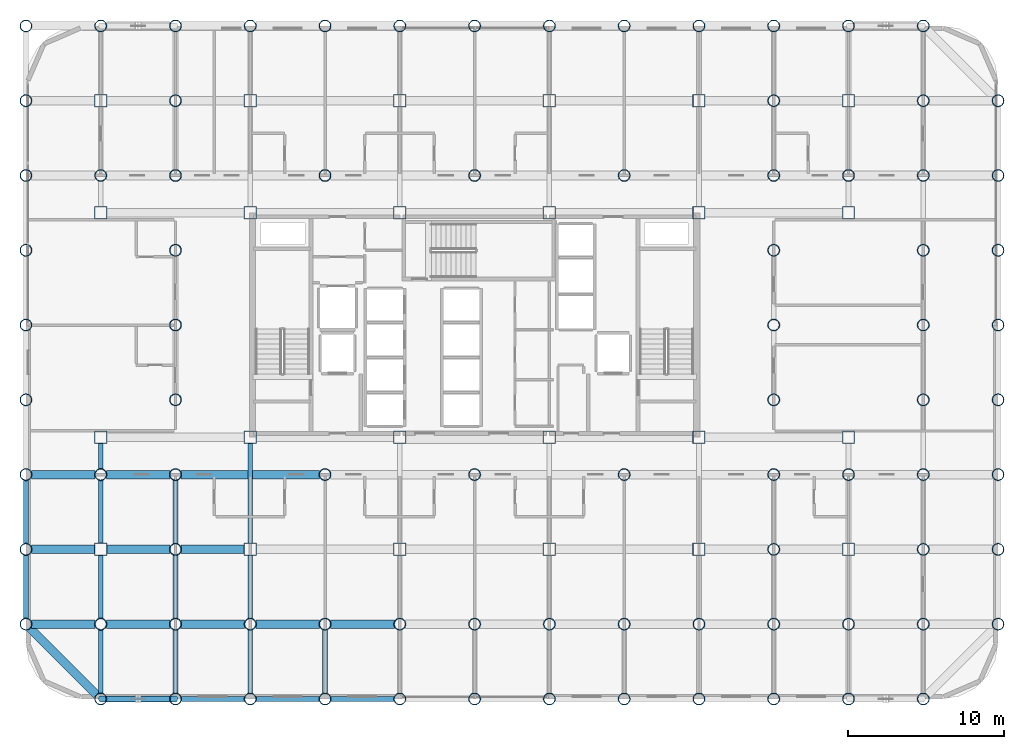
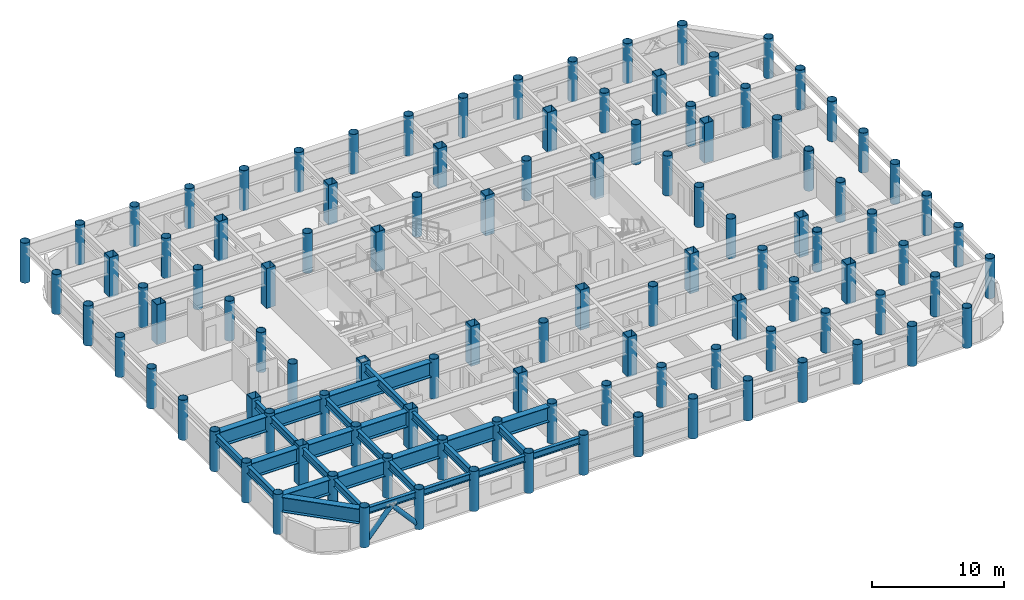
# One storey, part 1 of 21: 108 columns, 29 beams, 2 members.
"""IFC4 building model written with IfcOpenShell, lengths in metres."""

from ifc_helpers import new_model, si_unit, direction, frame, origin, origin_2d, place, context, subcontext, project, spatial, hollow_rectangle, hollow_circle, i_section, extrude, material, material_profile, profile_set, type_object, element, save


model = new_model("IFC4")

# Units and contexts
model_context = context("Model", 3, precision=1e-05, world=origin(), true_north=direction((0.0, 1.0)))
body_context = subcontext(model_context, "Body", "Model", "MODEL_VIEW")
ifc_project = project(units=[si_unit("LENGTHUNIT", "METRE"), si_unit("AREAUNIT", "SQUARE_METRE"), si_unit("VOLUMEUNIT", "CUBIC_METRE"), si_unit("PLANEANGLEUNIT", "RADIAN"), si_unit("MASSUNIT", "GRAM", prefix="KILO")], contexts=[model_context])

# Site, building, storey
site_placement = place(None, origin())
site = spatial("IfcSite", under=ifc_project, at=site_placement, CompositionType="ELEMENT")
building_placement = place(site_placement, origin())
building = spatial("IfcBuilding", under=site, at=building_placement, Name="Kallvorn Hotel Tower", CompositionType="ELEMENT")
storey_placement = place(building_placement, frame((0.0, 0.0, 85.5)))
storey = spatial("IfcBuildingStorey", under=building, at=storey_placement, Name="L20", CompositionType="ELEMENT", Elevation=85.5)

# Columns
ifc_material_1 = material(Name="Structural steel S355J2H", Category="steel")
ifc_material_profile_1 = material_profile(ifc_material_1, hollow_circle(Radius=0.381103515625, WallThickness=0.031982421875, at=origin_2d()), Name="CHS 762x32")
ifc_profile_set_1 = profile_set([ifc_material_profile_1], Name="Structural steel S355J2H")
column_type_1 = type_object("IfcColumnType", Name="COL_CHS_762", PredefinedType="COLUMN", material=ifc_profile_set_1)
for number, where, z_axis, x_axis, name in (
    (1, (-28.800048828125, -19.199951171875, 0.0), (0.0, 0.0, 1.0), (1.0, 0.0, 0.0), "L20 Exoskeleton Column EC01"),
    (2, (-28.800048828125, -14.39990234375, 0.0), (0.0, 0.0, 1.0), (1.0, 0.0, 0.0), "L20 Exoskeleton Column EC02"),
    (3, (-28.800048828125, -9.60009765625, 0.0), (0.0, 0.0, 1.0), (1.0, 0.0, 0.0), "L20 Exoskeleton Column EC03"),
    (4, (-28.800048828125, -4.800048828125, 0.0), (0.0, 0.0, 1.0), (1.0, 0.0, 0.0), "L20 Exoskeleton Column EC04"),
    (5, (-28.800048828125, 0.0, 0.0), (0.0, 0.0, 1.0), (1.0, 0.0, 0.0), "L20 Exoskeleton Column EC05"),
    (6, (-28.800048828125, 4.800048828125, 0.0), (0.0, 0.0, 1.0), (1.0, 0.0, 0.0), "L20 Exoskeleton Column EC06"),
    (7, (-28.800048828125, 9.60009765625, 0.0), (0.0, 0.0, 1.0), (1.0, 0.0, 0.0), "L20 Exoskeleton Column EC07"),
    (8, (-28.800048828125, 14.39990234375, 0.0), (0.0, 0.0, 1.0), (1.0, 0.0, 0.0), "L20 Exoskeleton Column EC08"),
    (9, (-28.800048828125, 19.199951171875, 0.0), (0.0, 0.0, 1.0), (1.0, 0.0, 0.0), "L20 Exoskeleton Column EC09"),
    (10, (-24.0, -24.0, 0.0), (0.0, 0.0, 1.0), (1.0, 0.0, 0.0), "L20 Exoskeleton Column EC10"),
    (11, (-24.0, -19.199951171875, 0.0), (0.0, 0.0, 1.0), (1.0, 0.0, 0.0), "L20 Exoskeleton Column EC11"),
    (12, (-24.0, -9.60009765625, 0.0), (0.0, 0.0, 1.0), (1.0, 0.0, 0.0), "L20 Exoskeleton Column EC12"),
    (13, (-24.0, 9.60009765625, 0.0), (0.0, 0.0, 1.0), (1.0, 0.0, 0.0), "L20 Exoskeleton Column EC13"),
    (14, (-24.0, 19.199951171875, 0.0), (0.0, 0.0, 1.0), (1.0, 0.0, 0.0), "L20 Exoskeleton Column EC14"),
    (15, (-19.199951171875, -24.0, 0.0), (0.0, 0.0, 1.0), (1.0, 0.0, 0.0), "L20 Exoskeleton Column EC15"),
    (16, (-19.199951171875, -19.199951171875, 0.0), (0.0, 0.0, 1.0), (1.0, 0.0, 0.0), "L20 Exoskeleton Column EC16"),
    (17, (-19.199951171875, -14.39990234375, 0.0), (0.0, 0.0, 1.0), (1.0, 0.0, 0.0), "L20 Exoskeleton Column EC17"),
    (18, (-19.199951171875, -9.60009765625, 0.0), (0.0, 0.0, 1.0), (1.0, 0.0, 0.0), "L20 Exoskeleton Column EC18"),
    (19, (-19.199951171875, -4.800048828125, 0.0), (0.0, 0.0, 1.0), (1.0, 0.0, 0.0), "L20 Exoskeleton Column EC19"),
    (20, (-19.199951171875, 0.0, 0.0), (0.0, 0.0, 1.0), (1.0, 0.0, 0.0), "L20 Exoskeleton Column EC20"),
    (21, (-19.199951171875, 4.800048828125, 0.0), (0.0, 0.0, 1.0), (1.0, 0.0, 0.0), "L20 Exoskeleton Column EC21"),
    (22, (-19.199951171875, 9.60009765625, 0.0), (0.0, 0.0, 1.0), (1.0, 0.0, 0.0), "L20 Exoskeleton Column EC22"),
    (23, (-19.199951171875, 14.39990234375, 0.0), (0.0, 0.0, 1.0), (1.0, 0.0, 0.0), "L20 Exoskeleton Column EC23"),
    (24, (-19.199951171875, 19.199951171875, 0.0), (0.0, 0.0, 1.0), (1.0, 0.0, 0.0), "L20 Exoskeleton Column EC24"),
    (25, (-14.39990234375, -24.0, 0.0), (0.0, 0.0, 1.0), (1.0, 0.0, 0.0), "L20 Exoskeleton Column EC25"),
    (26, (-14.39990234375, -19.199951171875, 0.0), (0.0, 0.0, 1.0), (1.0, 0.0, 0.0), "L20 Exoskeleton Column EC26"),
    (27, (-14.39990234375, 19.199951171875, 0.0), (0.0, 0.0, 1.0), (1.0, 0.0, 0.0), "L20 Exoskeleton Column EC27"),
    (28, (-9.60009765625, -24.0, 0.0), (0.0, 0.0, 1.0), (1.0, 0.0, 0.0), "L20 Exoskeleton Column EC28"),
    (29, (-9.60009765625, -19.199951171875, 0.0), (0.0, 0.0, 1.0), (1.0, 0.0, 0.0), "L20 Exoskeleton Column EC29"),
    (30, (-9.60009765625, -9.60009765625, 0.0), (0.0, 0.0, 1.0), (1.0, 0.0, 0.0), "L20 Exoskeleton Column EC30"),
    (31, (-9.60009765625, 9.60009765625, 0.0), (0.0, 0.0, 1.0), (1.0, 0.0, 0.0), "L20 Exoskeleton Column EC31"),
    (32, (-9.60009765625, 19.199951171875, 0.0), (0.0, 0.0, 1.0), (1.0, 0.0, 0.0), "L20 Exoskeleton Column EC32"),
    (33, (-4.800048828125, -24.0, 0.0), (0.0, 0.0, 1.0), (1.0, 0.0, 0.0), "L20 Exoskeleton Column EC33"),
    (34, (-4.800048828125, -19.199951171875, 0.0), (0.0, 0.0, 1.0), (1.0, 0.0, 0.0), "L20 Exoskeleton Column EC34"),
    (35, (-4.800048828125, 19.199951171875, 0.0), (0.0, 0.0, 1.0), (1.0, 0.0, 0.0), "L20 Exoskeleton Column EC35"),
    (36, (0.0, -24.0, 0.0), (0.0, 0.0, 1.0), (1.0, 0.0, 0.0), "L20 Exoskeleton Column EC36"),
    (37, (0.0, -19.199951171875, 0.0), (0.0, 0.0, 1.0), (1.0, 0.0, 0.0), "L20 Exoskeleton Column EC37"),
    (38, (0.0, -9.60009765625, 0.0), (0.0, 0.0, 1.0), (1.0, 0.0, 0.0), "L20 Exoskeleton Column EC38"),
    (39, (0.0, 9.60009765625, 0.0), (0.0, 0.0, 1.0), (1.0, 0.0, 0.0), "L20 Exoskeleton Column EC39"),
    (40, (0.0, 19.199951171875, 0.0), (0.0, 0.0, 1.0), (1.0, 0.0, 0.0), "L20 Exoskeleton Column EC40"),
    (41, (4.800048828125, -24.0, 0.0), (0.0, 0.0, 1.0), (1.0, 0.0, 0.0), "L20 Exoskeleton Column EC41"),
    (42, (4.800048828125, -19.199951171875, 0.0), (0.0, 0.0, 1.0), (1.0, 0.0, 0.0), "L20 Exoskeleton Column EC42"),
    (43, (4.800048828125, 19.199951171875, 0.0), (0.0, 0.0, 1.0), (1.0, 0.0, 0.0), "L20 Exoskeleton Column EC43"),
    (44, (9.60009765625, -24.0, 0.0), (0.0, 0.0, 1.0), (1.0, 0.0, 0.0), "L20 Exoskeleton Column EC44"),
    (45, (9.60009765625, -19.199951171875, 0.0), (0.0, 0.0, 1.0), (1.0, 0.0, 0.0), "L20 Exoskeleton Column EC45"),
    (46, (9.60009765625, -9.60009765625, 0.0), (0.0, 0.0, 1.0), (1.0, 0.0, 0.0), "L20 Exoskeleton Column EC46"),
    (47, (9.60009765625, 9.60009765625, 0.0), (0.0, 0.0, 1.0), (1.0, 0.0, 0.0), "L20 Exoskeleton Column EC47"),
    (48, (9.60009765625, 19.199951171875, 0.0), (0.0, 0.0, 1.0), (1.0, 0.0, 0.0), "L20 Exoskeleton Column EC48"),
    (49, (14.39990234375, -24.0, 0.0), (0.0, 0.0, 1.0), (1.0, 0.0, 0.0), "L20 Exoskeleton Column EC49"),
    (50, (14.39990234375, -19.199951171875, 0.0), (0.0, 0.0, 1.0), (1.0, 0.0, 0.0), "L20 Exoskeleton Column EC50"),
    (51, (14.39990234375, 19.199951171875, 0.0), (0.0, 0.0, 1.0), (1.0, 0.0, 0.0), "L20 Exoskeleton Column EC51"),
    (52, (19.199951171875, -24.0, 0.0), (0.0, 0.0, 1.0), (1.0, 0.0, 0.0), "L20 Exoskeleton Column EC52"),
    (53, (19.199951171875, -19.199951171875, 0.0), (0.0, 0.0, 1.0), (1.0, 0.0, 0.0), "L20 Exoskeleton Column EC53"),
    (54, (19.199951171875, -14.39990234375, 0.0), (0.0, 0.0, 1.0), (1.0, 0.0, 0.0), "L20 Exoskeleton Column EC54"),
    (55, (19.199951171875, -9.60009765625, 0.0), (0.0, 0.0, 1.0), (1.0, 0.0, 0.0), "L20 Exoskeleton Column EC55"),
    (56, (19.199951171875, -4.800048828125, 0.0), (0.0, 0.0, 1.0), (1.0, 0.0, 0.0), "L20 Exoskeleton Column EC56"),
    (57, (19.199951171875, 0.0, 0.0), (0.0, 0.0, 1.0), (1.0, 0.0, 0.0), "L20 Exoskeleton Column EC57"),
    (58, (19.199951171875, 4.800048828125, 0.0), (0.0, 0.0, 1.0), (1.0, 0.0, 0.0), "L20 Exoskeleton Column EC58"),
    (59, (19.199951171875, 9.60009765625, 0.0), (0.0, 0.0, 1.0), (1.0, 0.0, 0.0), "L20 Exoskeleton Column EC59"),
    (60, (19.199951171875, 14.39990234375, 0.0), (0.0, 0.0, 1.0), (1.0, 0.0, 0.0), "L20 Exoskeleton Column EC60"),
    (61, (19.199951171875, 19.199951171875, 0.0), (0.0, 0.0, 1.0), (1.0, 0.0, 0.0), "L20 Exoskeleton Column EC61"),
    (62, (24.0, -24.0, 0.0), (0.0, 0.0, 1.0), (1.0, 0.0, 0.0), "L20 Exoskeleton Column EC62"),
    (63, (24.0, -19.199951171875, 0.0), (0.0, 0.0, 1.0), (1.0, 0.0, 0.0), "L20 Exoskeleton Column EC63"),
    (64, (24.0, -9.60009765625, 0.0), (0.0, 0.0, 1.0), (1.0, 0.0, 0.0), "L20 Exoskeleton Column EC64"),
    (65, (24.0, 9.60009765625, 0.0), (0.0, 0.0, 1.0), (1.0, 0.0, 0.0), "L20 Exoskeleton Column EC65"),
    (66, (24.0, 19.199951171875, 0.0), (0.0, 0.0, 1.0), (1.0, 0.0, 0.0), "L20 Exoskeleton Column EC66"),
    (67, (28.800048828125, -24.0, 0.0), (0.0, 0.0, 1.0), (1.0, 0.0, 0.0), "L20 Exoskeleton Column EC67"),
    (68, (28.800048828125, -19.199951171875, 0.0), (0.0, 0.0, 1.0), (1.0, 0.0, 0.0), "L20 Exoskeleton Column EC68"),
    (69, (28.800048828125, -14.39990234375, 0.0), (0.0, 0.0, 1.0), (1.0, 0.0, 0.0), "L20 Exoskeleton Column EC69"),
    (70, (28.800048828125, -9.60009765625, 0.0), (0.0, 0.0, 1.0), (1.0, 0.0, 0.0), "L20 Exoskeleton Column EC70"),
    (71, (28.800048828125, -4.800048828125, 0.0), (0.0, 0.0, 1.0), (1.0, 0.0, 0.0), "L20 Exoskeleton Column EC71"),
    (72, (28.800048828125, 0.0, 0.0), (0.0, 0.0, 1.0), (1.0, 0.0, 0.0), "L20 Exoskeleton Column EC72"),
    (73, (28.800048828125, 4.800048828125, 0.0), (0.0, 0.0, 1.0), (1.0, 0.0, 0.0), "L20 Exoskeleton Column EC73"),
    (74, (28.800048828125, 9.60009765625, 0.0), (0.0, 0.0, 1.0), (1.0, 0.0, 0.0), "L20 Exoskeleton Column EC74"),
    (75, (28.800048828125, 14.39990234375, 0.0), (0.0, 0.0, 1.0), (1.0, 0.0, 0.0), "L20 Exoskeleton Column EC75"),
    (76, (28.800048828125, 19.199951171875, 0.0), (0.0, 0.0, 1.0), (1.0, 0.0, 0.0), "L20 Exoskeleton Column EC76"),
    (77, (33.60009765625, -19.199951171875, 0.0), (0.0, 0.0, 1.0), (1.0, 0.0, 0.0), "L20 Exoskeleton Column EC77"),
    (78, (33.60009765625, -14.39990234375, 0.0), (0.0, 0.0, 1.0), (1.0, 0.0, 0.0), "L20 Exoskeleton Column EC78"),
    (79, (33.60009765625, -9.60009765625, 0.0), (0.0, 0.0, 1.0), (1.0, 0.0, 0.0), "L20 Exoskeleton Column EC79"),
    (80, (33.60009765625, -4.800048828125, 0.0), (0.0, 0.0, 1.0), (1.0, 0.0, 0.0), "L20 Exoskeleton Column EC80"),
    (81, (33.60009765625, 0.0, 0.0), (0.0, 0.0, 1.0), (1.0, 0.0, 0.0), "L20 Exoskeleton Column EC81"),
    (82, (33.60009765625, 4.800048828125, 0.0), (0.0, 0.0, 1.0), (1.0, 0.0, 0.0), "L20 Exoskeleton Column EC82"),
    (83, (33.60009765625, 9.60009765625, 0.0), (0.0, 0.0, 1.0), (1.0, 0.0, 0.0), "L20 Exoskeleton Column EC83"),
    (84, (33.60009765625, 14.39990234375, 0.0), (0.0, 0.0, 1.0), (1.0, 0.0, 0.0), "L20 Exoskeleton Column EC84"),
):
    element("IfcColumn", number, at=place(storey_placement, frame(where, z_axis=z_axis, x_axis=x_axis)), inside=storey, type_object=column_type_1, Name=name, PredefinedType="COLUMN", context=body_context, shape_type="SweptSolid", body=[
        extrude(hollow_circle(Radius=0.381103515625, WallThickness=0.031982421875, at=origin_2d()), origin(), (0.0, 0.0, 1.0), 3.699951171875),
    ])
ifc_material_2 = material(Name="Structural steel S355J2H", Category="steel")
ifc_material_profile_2 = material_profile(ifc_material_2, hollow_rectangle(XDim=0.800048828125, YDim=0.800048828125, WallThickness=0.035888671875, at=origin_2d()), Name="RHS 800x800x36")
ifc_profile_set_2 = profile_set([ifc_material_profile_2], Name="Structural steel S355J2H")
column_type_2 = type_object("IfcColumnType", Name="COL_RHS_800", PredefinedType="COLUMN", material=ifc_profile_set_2)
for number, where, z_axis, x_axis, name in (
    (85, (-24.0, -14.39990234375, 0.0), (0.0, 0.0, 1.0), (1.0, 0.0, 0.0), "L20 Inner Column IC01"),
    (86, (-24.0, -7.199951171875, 0.0), (0.0, 0.0, 1.0), (1.0, 0.0, 0.0), "L20 Inner Column IC02"),
    (87, (-24.0, 7.199951171875, 0.0), (0.0, 0.0, 1.0), (1.0, 0.0, 0.0), "L20 Inner Column IC03"),
    (88, (-24.0, 14.39990234375, 0.0), (0.0, 0.0, 1.0), (1.0, 0.0, 0.0), "L20 Inner Column IC04"),
    (89, (-14.39990234375, -14.39990234375, 0.0), (0.0, 0.0, 1.0), (1.0, 0.0, 0.0), "L20 Inner Column IC05"),
    (90, (-14.39990234375, -7.199951171875, 0.0), (0.0, 0.0, 1.0), (1.0, 0.0, 0.0), "L20 Inner Column IC06"),
    (91, (-14.39990234375, 7.199951171875, 0.0), (0.0, 0.0, 1.0), (1.0, 0.0, 0.0), "L20 Inner Column IC07"),
    (92, (-14.39990234375, 14.39990234375, 0.0), (0.0, 0.0, 1.0), (1.0, 0.0, 0.0), "L20 Inner Column IC08"),
    (93, (-4.800048828125, -14.39990234375, 0.0), (0.0, 0.0, 1.0), (1.0, 0.0, 0.0), "L20 Inner Column IC09"),
    (94, (-4.800048828125, -7.199951171875, 0.0), (0.0, 0.0, 1.0), (1.0, 0.0, 0.0), "L20 Inner Column IC10"),
    (95, (-4.800048828125, 7.199951171875, 0.0), (0.0, 0.0, 1.0), (1.0, 0.0, 0.0), "L20 Inner Column IC11"),
    (96, (-4.800048828125, 14.39990234375, 0.0), (0.0, 0.0, 1.0), (1.0, 0.0, 0.0), "L20 Inner Column IC12"),
    (97, (4.800048828125, -14.39990234375, 0.0), (0.0, 0.0, 1.0), (1.0, 0.0, 0.0), "L20 Inner Column IC13"),
    (98, (4.800048828125, -7.199951171875, 0.0), (0.0, 0.0, 1.0), (1.0, 0.0, 0.0), "L20 Inner Column IC14"),
    (99, (4.800048828125, 7.199951171875, 0.0), (0.0, 0.0, 1.0), (1.0, 0.0, 0.0), "L20 Inner Column IC15"),
    (100, (4.800048828125, 14.39990234375, 0.0), (0.0, 0.0, 1.0), (1.0, 0.0, 0.0), "L20 Inner Column IC16"),
    (101, (14.39990234375, -14.39990234375, 0.0), (0.0, 0.0, 1.0), (1.0, 0.0, 0.0), "L20 Inner Column IC17"),
    (102, (14.39990234375, -7.199951171875, 0.0), (0.0, 0.0, 1.0), (1.0, 0.0, 0.0), "L20 Inner Column IC18"),
    (103, (14.39990234375, 7.199951171875, 0.0), (0.0, 0.0, 1.0), (1.0, 0.0, 0.0), "L20 Inner Column IC19"),
    (104, (14.39990234375, 14.39990234375, 0.0), (0.0, 0.0, 1.0), (1.0, 0.0, 0.0), "L20 Inner Column IC20"),
    (105, (24.0, -14.39990234375, 0.0), (0.0, 0.0, 1.0), (1.0, 0.0, 0.0), "L20 Inner Column IC21"),
    (106, (24.0, -7.199951171875, 0.0), (0.0, 0.0, 1.0), (1.0, 0.0, 0.0), "L20 Inner Column IC22"),
    (107, (24.0, 7.199951171875, 0.0), (0.0, 0.0, 1.0), (1.0, 0.0, 0.0), "L20 Inner Column IC23"),
    (108, (24.0, 14.39990234375, 0.0), (0.0, 0.0, 1.0), (1.0, 0.0, 0.0), "L20 Inner Column IC24"),
):
    element("IfcColumn", number, at=place(storey_placement, frame(where, z_axis=z_axis, x_axis=x_axis)), inside=storey, type_object=column_type_2, Name=name, PredefinedType="COLUMN", context=body_context, shape_type="SweptSolid", body=[
        extrude(hollow_rectangle(XDim=0.800048828125, YDim=0.800048828125, WallThickness=0.035888671875, at=origin_2d()), origin(), (0.0, 0.0, 1.0), 3.699951171875),
    ])

# Beams
ifc_material_3 = material(Name="Structural steel S355JR", Category="steel")
ifc_material_profile_3 = material_profile(ifc_material_3, i_section(OverallWidth=0.300048828125, OverallDepth=0.60009765625, WebThickness=0.015380859375, FlangeThickness=0.030029296875, at=origin_2d()), Name="HE 600 B")
ifc_profile_set_3 = profile_set([ifc_material_profile_3], Name="Structural steel S355JR")
beam_type_1 = type_object("IfcBeamType", Name="BM_HE600B", PredefinedType="SPANDREL", material=ifc_profile_set_3)
beam_1_placement = place(storey_placement, frame((-23.62890625, -24.0, 3.14990234375), z_axis=(1.0, 0.0, 0.0), x_axis=(0.0, 1.0, 0.0)))
element("IfcBeam", 109, at=beam_1_placement, inside=storey, type_object=beam_type_1, Name="L21 Perimeter Spandrel 151", PredefinedType="SPANDREL", context=body_context, shape_type="SweptSolid", body=[
    extrude(i_section(OverallWidth=0.300048828125, OverallDepth=0.60009765625, WebThickness=0.015380859375, FlangeThickness=0.030029296875, at=origin_2d()), origin(), (0.0, 0.0, 1.0), 4.057861328125),
])
for number, where, z_axis, x_axis, name in (
    (110, (-18.8291015625, -24.0, 3.14990234375), (1.0, 0.0, 0.0), (0.0, 1.0, 0.0), "L21 Perimeter Spandrel 152"),
    (111, (-14.029052734375, -24.0, 3.14990234375), (1.0, 0.0, 0.0), (0.0, 1.0, 0.0), "L21 Perimeter Spandrel 153"),
    (112, (-9.22900390625, -24.0, 3.14990234375), (1.0, 0.0, 0.0), (0.0, 1.0, 0.0), "L21 Perimeter Spandrel 154"),
):
    element("IfcBeam", number, at=place(storey_placement, frame(where, z_axis=z_axis, x_axis=x_axis)), inside=storey, type_object=beam_type_1, Name=name, PredefinedType="SPANDREL", context=body_context, shape_type="SweptSolid", body=[
        extrude(i_section(OverallWidth=0.300048828125, OverallDepth=0.60009765625, WebThickness=0.015380859375, FlangeThickness=0.030029296875, at=origin_2d()), origin(), (0.0, 0.0, 1.0), 4.05810546875),
    ])
ifc_material_4 = material(Name="Structural steel S355JR", Category="steel")
ifc_material_profile_4 = material_profile(ifc_material_4, i_section(OverallWidth=0.300048828125, OverallDepth=0.699951171875, WebThickness=0.01708984375, FlangeThickness=0.031982421875, at=origin_2d()), Name="HE 700 B")
ifc_profile_set_4 = profile_set([ifc_material_profile_4], Name="Structural steel S355JR")
beam_type_2 = type_object("IfcBeamType", Name="BM_HE700B", PredefinedType="BEAM", material=ifc_profile_set_4)
for number, where, z_axis, x_axis, name in (
    (113, (-28.800048828125, -18.843994140625, 3.10009765625), (0.0, 1.0, 0.0), (-1.0, 0.0, 0.0), "L21 Primary Y-Girder 73"),
    (114, (-28.800048828125, -14.0439453125, 3.10009765625), (0.0, 1.0, 0.0), (-1.0, 0.0, 0.0), "L21 Primary Y-Girder 74"),
):
    element("IfcBeam", number, at=place(storey_placement, frame(where, z_axis=z_axis, x_axis=x_axis)), inside=storey, type_object=beam_type_2, Name=name, PredefinedType="BEAM", context=body_context, shape_type="SweptSolid", body=[
        extrude(i_section(OverallWidth=0.300048828125, OverallDepth=0.699951171875, WebThickness=0.01708984375, FlangeThickness=0.031982421875, at=origin_2d()), origin(), (0.0, 0.0, 1.0), 4.087890625),
    ])
beam_2_placement = place(storey_placement, frame((-24.0, -23.64404296875, 3.10009765625), z_axis=(0.0, 1.0, 0.0), x_axis=(-1.0, 0.0, 0.0)))
element("IfcBeam", 115, at=beam_2_placement, inside=storey, type_object=beam_type_2, Name="L21 Primary Y-Girder 81", PredefinedType="BEAM", context=body_context, shape_type="SweptSolid", body=[
    extrude(i_section(OverallWidth=0.300048828125, OverallDepth=0.699951171875, WebThickness=0.01708984375, FlangeThickness=0.031982421875, at=origin_2d()), origin(), (0.0, 0.0, 1.0), 4.088134765625),
])
beam_3_placement = place(storey_placement, frame((-24.0, -18.843994140625, 3.10009765625), z_axis=(0.0, 1.0, 0.0), x_axis=(-1.0, 0.0, 0.0)))
element("IfcBeam", 116, at=beam_3_placement, inside=storey, type_object=beam_type_2, Name="L21 Primary Y-Girder 82", PredefinedType="BEAM", context=body_context, shape_type="SweptSolid", body=[
    extrude(i_section(OverallWidth=0.300048828125, OverallDepth=0.699951171875, WebThickness=0.01708984375, FlangeThickness=0.031982421875, at=origin_2d()), origin(), (0.0, 0.0, 1.0), 4.069091796875),
])
beam_4_placement = place(storey_placement, frame((-24.0, -14.02490234375, 3.10009765625), z_axis=(0.0, 1.0, 0.0), x_axis=(-1.0, 0.0, 0.0)))
element("IfcBeam", 117, at=beam_4_placement, inside=storey, type_object=beam_type_2, Name="L21 Primary Y-Girder 83", PredefinedType="BEAM", context=body_context, shape_type="SweptSolid", body=[
    extrude(i_section(OverallWidth=0.300048828125, OverallDepth=0.699951171875, WebThickness=0.01708984375, FlangeThickness=0.031982421875, at=origin_2d()), origin(), (0.0, 0.0, 1.0), 4.06884765625),
])
beam_5_placement = place(storey_placement, frame((-24.0, -9.243896484375, 3.10009765625), z_axis=(0.0, 1.0, 0.0), x_axis=(-1.0, 0.0, 0.0)))
element("IfcBeam", 118, at=beam_5_placement, inside=storey, type_object=beam_type_2, Name="L21 Primary Y-Girder 84", PredefinedType="BEAM", context=body_context, shape_type="SweptSolid", body=[
    extrude(i_section(OverallWidth=0.300048828125, OverallDepth=0.699951171875, WebThickness=0.01708984375, FlangeThickness=0.031982421875, at=origin_2d()), origin(), (0.0, 0.0, 1.0), 1.6689453125),
])
beam_6_placement = place(storey_placement, frame((-19.199951171875, -23.64404296875, 3.10009765625), z_axis=(0.0, 1.0, 0.0), x_axis=(-1.0, 0.0, 0.0)))
element("IfcBeam", 119, at=beam_6_placement, inside=storey, type_object=beam_type_2, Name="L21 Primary Y-Girder 88", PredefinedType="BEAM", context=body_context, shape_type="SweptSolid", body=[
    extrude(i_section(OverallWidth=0.300048828125, OverallDepth=0.699951171875, WebThickness=0.01708984375, FlangeThickness=0.031982421875, at=origin_2d()), origin(), (0.0, 0.0, 1.0), 4.088134765625),
])
for number, where, z_axis, x_axis, name in (
    (120, (-19.199951171875, -18.843994140625, 3.10009765625), (0.0, 1.0, 0.0), (-1.0, 0.0, 0.0), "L21 Primary Y-Girder 89"),
    (121, (-19.199951171875, -14.0439453125, 3.10009765625), (0.0, 1.0, 0.0), (-1.0, 0.0, 0.0), "L21 Primary Y-Girder 90"),
):
    element("IfcBeam", number, at=place(storey_placement, frame(where, z_axis=z_axis, x_axis=x_axis)), inside=storey, type_object=beam_type_2, Name=name, PredefinedType="BEAM", context=body_context, shape_type="SweptSolid", body=[
        extrude(i_section(OverallWidth=0.300048828125, OverallDepth=0.699951171875, WebThickness=0.01708984375, FlangeThickness=0.031982421875, at=origin_2d()), origin(), (0.0, 0.0, 1.0), 4.087890625),
    ])
beam_7_placement = place(storey_placement, frame((-14.39990234375, -23.64404296875, 3.10009765625), z_axis=(0.0, 1.0, 0.0), x_axis=(-1.0, 0.0, 0.0)))
element("IfcBeam", 122, at=beam_7_placement, inside=storey, type_object=beam_type_2, Name="L21 Primary Y-Girder 97", PredefinedType="BEAM", context=body_context, shape_type="SweptSolid", body=[
    extrude(i_section(OverallWidth=0.300048828125, OverallDepth=0.699951171875, WebThickness=0.01708984375, FlangeThickness=0.031982421875, at=origin_2d()), origin(), (0.0, 0.0, 1.0), 4.088134765625),
])
beam_8_placement = place(storey_placement, frame((-14.39990234375, -18.843994140625, 3.10009765625), z_axis=(0.0, 1.0, 0.0), x_axis=(-1.0, 0.0, 0.0)))
element("IfcBeam", 123, at=beam_8_placement, inside=storey, type_object=beam_type_2, Name="L21 Primary Y-Girder 98", PredefinedType="BEAM", context=body_context, shape_type="SweptSolid", body=[
    extrude(i_section(OverallWidth=0.300048828125, OverallDepth=0.699951171875, WebThickness=0.01708984375, FlangeThickness=0.031982421875, at=origin_2d()), origin(), (0.0, 0.0, 1.0), 4.069091796875),
])
beam_9_placement = place(storey_placement, frame((-14.39990234375, -14.02490234375, 3.10009765625), z_axis=(0.0, 1.0, 0.0), x_axis=(-1.0, 0.0, 0.0)))
element("IfcBeam", 124, at=beam_9_placement, inside=storey, type_object=beam_type_2, Name="L21 Primary Y-Girder 99", PredefinedType="BEAM", context=body_context, shape_type="SweptSolid", body=[
    extrude(i_section(OverallWidth=0.300048828125, OverallDepth=0.699951171875, WebThickness=0.01708984375, FlangeThickness=0.031982421875, at=origin_2d()), origin(), (0.0, 0.0, 1.0), 6.449951171875),
])
beam_10_placement = place(storey_placement, frame((-9.60009765625, -23.64404296875, 3.10009765625), z_axis=(0.0, 1.0, 0.0), x_axis=(-1.0, 0.0, 0.0)))
element("IfcBeam", 125, at=beam_10_placement, inside=storey, type_object=beam_type_2, Name="L21 Primary Y-Girder 102", PredefinedType="BEAM", context=body_context, shape_type="SweptSolid", body=[
    extrude(i_section(OverallWidth=0.300048828125, OverallDepth=0.699951171875, WebThickness=0.01708984375, FlangeThickness=0.031982421875, at=origin_2d()), origin(), (0.0, 0.0, 1.0), 4.088134765625),
])
ifc_material_5 = material(Name="Structural steel S355JR", Category="steel")
ifc_material_profile_5 = material_profile(ifc_material_5, i_section(OverallWidth=0.550048828125, OverallDepth=1.39990234375, WebThickness=0.02490234375, FlangeThickness=0.044921875, at=origin_2d()), Name="PG 1400x550x25x45")
ifc_profile_set_5 = profile_set([ifc_material_profile_5], Name="Structural steel S355JR")
beam_type_3 = type_object("IfcBeamType", Name="BM_PG_1400", PredefinedType="BEAM", material=ifc_profile_set_5)
for number, where, z_axis, x_axis, name in (
    (126, (-28.444091796875, -19.199951171875, 2.75), (1.0, 0.0, 0.0), (0.0, 1.0, 0.0), "L21 Primary X-Girder 01"),
    (127, (-23.64404296875, -19.199951171875, 2.75), (1.0, 0.0, 0.0), (0.0, 1.0, 0.0), "L21 Primary X-Girder 02"),
):
    element("IfcBeam", number, at=place(storey_placement, frame(where, z_axis=z_axis, x_axis=x_axis)), inside=storey, type_object=beam_type_3, Name=name, PredefinedType="BEAM", context=body_context, shape_type="SweptSolid", body=[
        extrude(i_section(OverallWidth=0.550048828125, OverallDepth=1.39990234375, WebThickness=0.02490234375, FlangeThickness=0.044921875, at=origin_2d()), origin(), (0.0, 0.0, 1.0), 4.088134765625),
    ])
for number, where, z_axis, x_axis, name in (
    (128, (-18.843994140625, -19.199951171875, 2.75), (1.0, 0.0, 0.0), (0.0, 1.0, 0.0), "L21 Primary X-Girder 03"),
    (129, (-14.0439453125, -19.199951171875, 2.75), (1.0, 0.0, 0.0), (0.0, 1.0, 0.0), "L21 Primary X-Girder 04"),
    (130, (-9.243896484375, -19.199951171875, 2.75), (1.0, 0.0, 0.0), (0.0, 1.0, 0.0), "L21 Primary X-Girder 05"),
):
    element("IfcBeam", number, at=place(storey_placement, frame(where, z_axis=z_axis, x_axis=x_axis)), inside=storey, type_object=beam_type_3, Name=name, PredefinedType="BEAM", context=body_context, shape_type="SweptSolid", body=[
        extrude(i_section(OverallWidth=0.550048828125, OverallDepth=1.39990234375, WebThickness=0.02490234375, FlangeThickness=0.044921875, at=origin_2d()), origin(), (0.0, 0.0, 1.0), 4.087890625),
    ])
for number, where, z_axis, x_axis, name in (
    (131, (-28.444091796875, -14.39990234375, 2.75), (1.0, 0.0, 0.0), (0.0, 1.0, 0.0), "L21 Primary X-Girder 14"),
    (132, (-23.625, -14.39990234375, 2.75), (1.0, 0.0, 0.0), (0.0, 1.0, 0.0), "L21 Primary X-Girder 15"),
    (133, (-18.843994140625, -14.39990234375, 2.75), (1.0, 0.0, 0.0), (0.0, 1.0, 0.0), "L21 Primary X-Girder 16"),
):
    element("IfcBeam", number, at=place(storey_placement, frame(where, z_axis=z_axis, x_axis=x_axis)), inside=storey, type_object=beam_type_3, Name=name, PredefinedType="BEAM", context=body_context, shape_type="SweptSolid", body=[
        extrude(i_section(OverallWidth=0.550048828125, OverallDepth=1.39990234375, WebThickness=0.02490234375, FlangeThickness=0.044921875, at=origin_2d()), origin(), (0.0, 0.0, 1.0), 4.069091796875),
    ])
for number, where, z_axis, x_axis, name in (
    (134, (-28.444091796875, -9.60009765625, 2.75), (1.0, 0.0, 0.0), (0.0, 1.0, 0.0), "L21 Primary X-Girder 24"),
    (135, (-23.64404296875, -9.60009765625, 2.75), (1.0, 0.0, 0.0), (0.0, 1.0, 0.0), "L21 Primary X-Girder 25"),
):
    element("IfcBeam", number, at=place(storey_placement, frame(where, z_axis=z_axis, x_axis=x_axis)), inside=storey, type_object=beam_type_3, Name=name, PredefinedType="BEAM", context=body_context, shape_type="SweptSolid", body=[
        extrude(i_section(OverallWidth=0.550048828125, OverallDepth=1.39990234375, WebThickness=0.02490234375, FlangeThickness=0.044921875, at=origin_2d()), origin(), (0.0, 0.0, 1.0), 4.088134765625),
    ])
beam_11_placement = place(storey_placement, frame((-18.843994140625, -9.60009765625, 2.75), z_axis=(1.0, 0.0, 0.0), x_axis=(0.0, 1.0, 0.0)))
element("IfcBeam", 136, at=beam_11_placement, inside=storey, type_object=beam_type_3, Name="L21 Primary X-Girder 26", PredefinedType="BEAM", context=body_context, shape_type="SweptSolid", body=[
    extrude(i_section(OverallWidth=0.550048828125, OverallDepth=1.39990234375, WebThickness=0.02490234375, FlangeThickness=0.044921875, at=origin_2d()), origin(), (0.0, 0.0, 1.0), 8.887939453125),
])
beam_12_placement = place(storey_placement, frame((-28.53759765625, -19.46240234375, 2.75), z_axis=(0.707106781187, -0.707106781187, 0.0), x_axis=(0.707106781187, 0.707106781187, 0.0)))
element("IfcBeam", 137, at=beam_12_placement, inside=storey, type_object=beam_type_3, Name="L21 Rounded Corner Tie Beam 189", PredefinedType="BEAM", context=body_context, shape_type="SweptSolid", body=[
    extrude(i_section(OverallWidth=0.550048828125, OverallDepth=1.39990234375, WebThickness=0.02490234375, FlangeThickness=0.044921875, at=origin_2d()), origin(), (0.0, 0.0, 1.0), 6.04638671875),
])

# Members
ifc_material_6 = material(Name="Structural steel S355J2H", Category="steel")
ifc_material_profile_6 = material_profile(ifc_material_6, hollow_circle(Radius=0.203125, WallThickness=0.01611328125, at=origin_2d()), Name="CHS 406.4x16")
ifc_profile_set_6 = profile_set([ifc_material_profile_6], Name="Structural steel S355J2H")
member_type = type_object("IfcMemberType", Name="MBR_EXO_CHS406", PredefinedType="BRACE", material=ifc_profile_set_6)
for number, where, z_axis, x_axis, name in (
    (138, (-23.98681640625, -24.0, 0.195068359375), (0.663016682627, 0.0, 0.748604620983), (0.0, 1.0, 0.0), "L20 Exoskeleton K-Brace S1A"),
    (139, (-19.21337890625, -24.0, 0.195068359375), (-0.662978461517, 0.0, 0.748638470535), (0.0, -1.0, 0.0), "L20 Exoskeleton K-Brace S1B"),
):
    element("IfcMember", number, at=place(storey_placement, frame(where, z_axis=z_axis, x_axis=x_axis)), inside=storey, type_object=member_type, Name=name, PredefinedType="BRACE", context=body_context, shape_type="SweptSolid", body=[
        extrude(hollow_circle(Radius=0.203125, WallThickness=0.01611328125, at=origin_2d()), origin(), (0.0, 0.0, 1.0), 3.579833984375),
    ])

save(model, "model.ifc")
